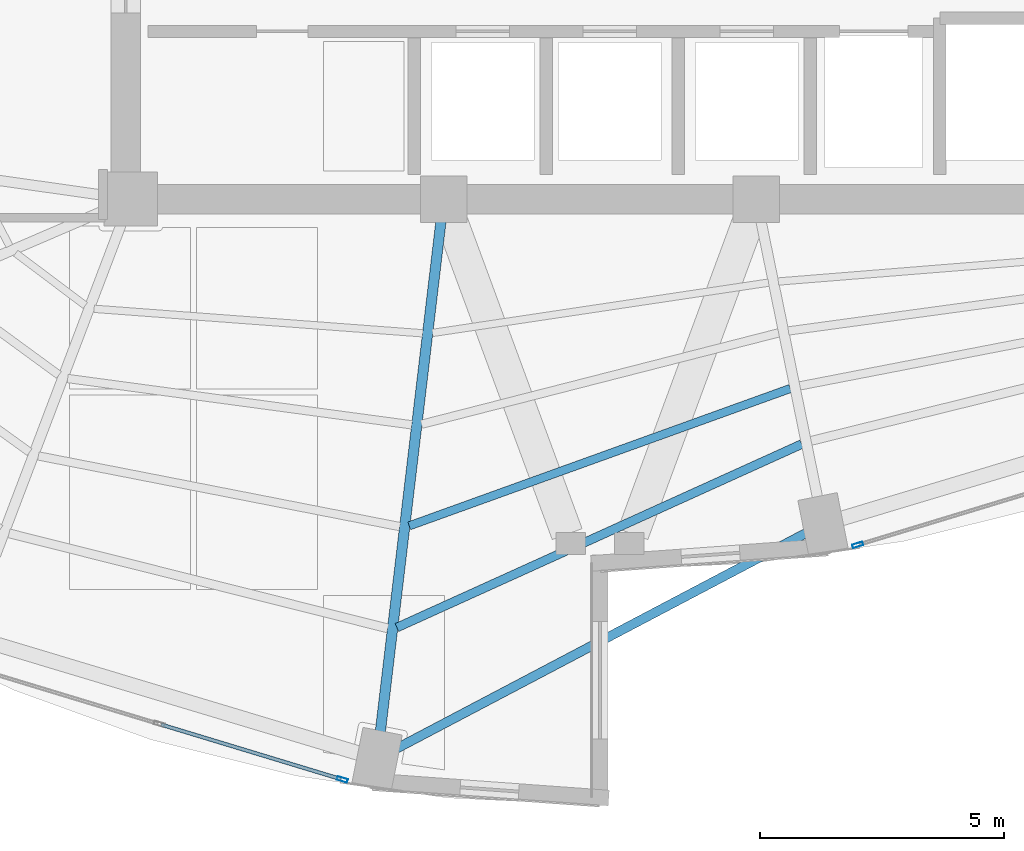
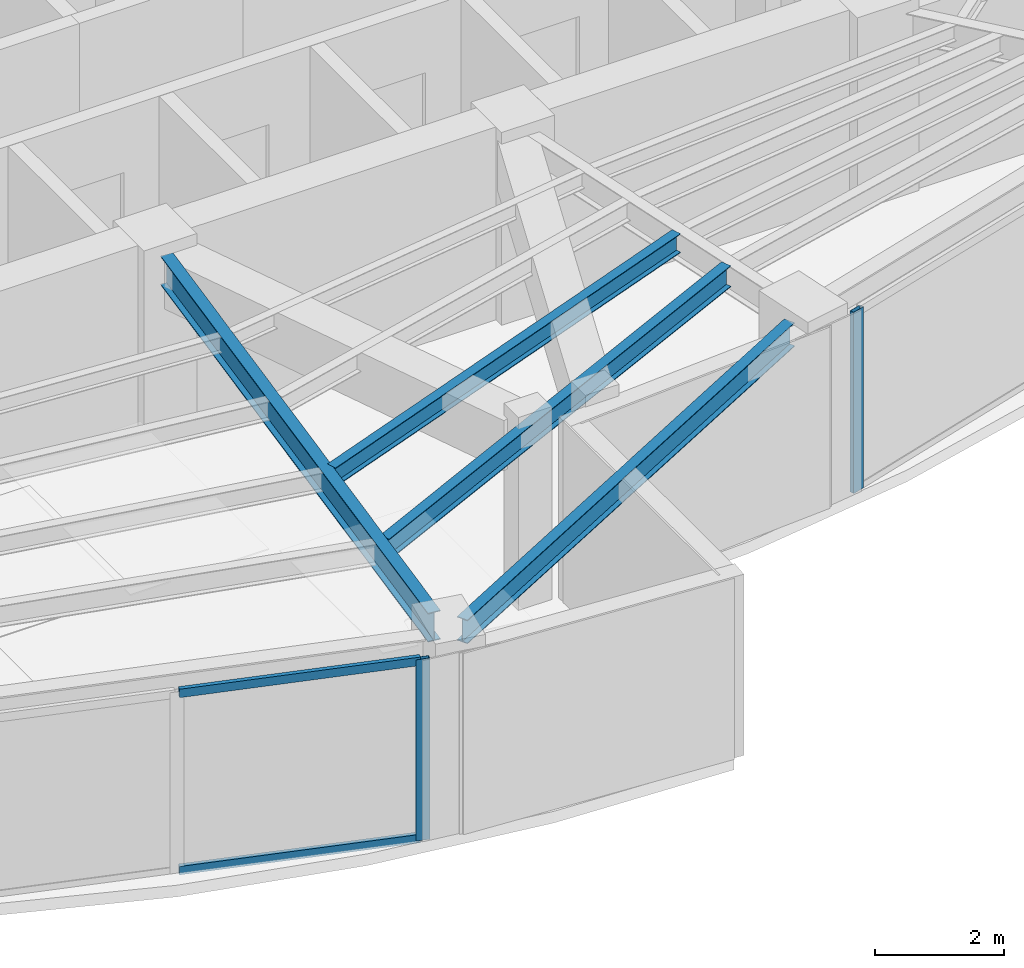
# One storey, part 4 of 19: 4 beams, 4 members, 2 elements without a shape of their own.
"""IFC4 building model written with IfcOpenShell, lengths in metres."""

from ifc_helpers import new_model, si_unit, direction, frame, origin, origin_2d, place, context, subcontext, project, spatial, hollow_rectangle, i_section, extrude, material, layer, layer_set, material_profile, profile_set, type_object, element, aggregate, save


model = new_model("IFC4")

# Units and contexts
model_context = context("Model", 3, precision=1e-05, world=origin(), true_north=direction((0.0, 1.0)))
body_context = subcontext(model_context, "Body", "Model", "MODEL_VIEW")
ifc_project = project(units=[si_unit("LENGTHUNIT", "METRE"), si_unit("AREAUNIT", "SQUARE_METRE"), si_unit("VOLUMEUNIT", "CUBIC_METRE"), si_unit("PLANEANGLEUNIT", "RADIAN"), si_unit("MASSUNIT", "GRAM", prefix="KILO")], contexts=[model_context])

# Site, building, storey
site_placement = place(None, origin())
site = spatial("IfcSite", under=ifc_project, at=site_placement, CompositionType="ELEMENT")
building_placement = place(site_placement, origin())
building = spatial("IfcBuilding", under=site, at=building_placement, Name="Lazwardi Medical Tower", CompositionType="ELEMENT")
storey_placement = place(building_placement, frame((0.0, 0.0, 171.1201171875)))
storey = spatial("IfcBuildingStorey", under=building, at=storey_placement, Name="L44", CompositionType="ELEMENT", Elevation=171.1201171875)

# Beams
ifc_material_1 = material(Name="Steel S355", Category="steel")
ifc_material_profile_1 = material_profile(ifc_material_1, i_section(OverallWidth=0.2099609375, OverallDepth=0.550048828125, WebThickness=0.010986328125, FlangeThickness=0.01708984375, at=origin_2d()), Name="IPE 550")
ifc_profile_set_1 = profile_set([ifc_material_profile_1], Name="Steel S355")
beam_type_1 = type_object("IfcBeamType", Name="BM-RG-W2", PredefinedType="BEAM", material=ifc_profile_set_1)
beam_1_placement = place(storey_placement, frame((31.505859375, 9.50732421875, 3.15283203125), z_axis=(0.117968004211, 0.993017396616, 0.0), x_axis=(-0.993017396616, 0.117968004211, 0.0)))
element("IfcBeam", 1, at=beam_1_placement, inside=storey, type_object=beam_type_1, Name="Radial girder RG-03 R16 L44", PredefinedType="BEAM", context=body_context, shape_type="SweptSolid", body=[
    extrude(i_section(OverallWidth=0.2099609375, OverallDepth=0.550048828125, WebThickness=0.010986328125, FlangeThickness=0.01708984375, at=origin_2d()), origin(), (0.0, 0.0, 1.0), 10.50927734375),
])
ifc_material_profile_2 = material_profile(ifc_material_1, i_section(OverallWidth=0.179931640625, OverallDepth=0.39990234375, WebThickness=0.008544921875, FlangeThickness=0.013427734375, at=origin_2d()), Name="IPE 400")
ifc_profile_set_2 = profile_set([ifc_material_profile_2], Name="Steel S355")
beam_type_2 = type_object("IfcBeamType", Name="BM-SJ-01", PredefinedType="JOIST", material=ifc_profile_set_2)
beam_2_placement = place(storey_placement, frame((31.844970703125, 11.6357421875, 3.227783203125), z_axis=(0.910834000674, 0.412772846995, 0.0), x_axis=(-0.412772846995, 0.910834000674, 0.0)))
element("IfcBeam", 2, at=beam_2_placement, inside=storey, type_object=beam_type_2, Name="Secondary joist SJ-01 R1 B16 L44", PredefinedType="JOIST", context=body_context, shape_type="SweptSolid", body=[
    extrude(i_section(OverallWidth=0.179931640625, OverallDepth=0.39990234375, WebThickness=0.008544921875, FlangeThickness=0.013427734375, at=origin_2d()), origin(), (0.0, 0.0, 1.0), 9.09130859375),
])
ifc_material_profile_3 = material_profile(ifc_material_1, i_section(OverallWidth=0.169921875, OverallDepth=0.360107421875, WebThickness=0.008056640625, FlangeThickness=0.0126953125, at=origin_2d()), Name="IPE 360")
ifc_profile_set_3 = profile_set([ifc_material_profile_3], Name="Steel S355")
beam_type_3 = type_object("IfcBeamType", Name="BM-SJ-02", PredefinedType="JOIST", material=ifc_profile_set_3)
beam_3_placement = place(storey_placement, frame((32.095947265625, 13.715576171875, 3.247802734375), z_axis=(0.940747993319, 0.339106492221, 0.0), x_axis=(-0.339106492221, 0.940747993319, 0.0)))
element("IfcBeam", 3, at=beam_3_placement, inside=storey, type_object=beam_type_3, Name="Secondary joist SJ-02 R2 B16 L44", PredefinedType="JOIST", context=body_context, shape_type="SweptSolid", body=[
    extrude(i_section(OverallWidth=0.169921875, OverallDepth=0.360107421875, WebThickness=0.008056640625, FlangeThickness=0.0126953125, at=origin_2d()), origin(), (0.0, 0.0, 1.0), 8.28662109375),
])
ifc_material_profile_4 = material_profile(ifc_material_1, i_section(OverallWidth=0.18994140625, OverallDepth=0.449951171875, WebThickness=0.009521484375, FlangeThickness=0.0146484375, at=origin_2d()), Name="IPE 450")
ifc_profile_set_4 = profile_set([ifc_material_profile_4], Name="Steel S355")
beam_type_4 = type_object("IfcBeamType", Name="BM-SP-01", PredefinedType="SPANDREL", material=ifc_profile_set_4)
beam_4_placement = place(storey_placement, frame((31.793701171875, 9.137451171875, 3.202880859375), z_axis=(0.884926578414, 0.465730556026, 0.0), x_axis=(-0.465730556026, 0.884926578414, 0.0)))
element("IfcBeam", 4, at=beam_4_placement, inside=storey, type_object=beam_type_4, Name="Spandrel beam SP-01 B16 L44", PredefinedType="SPANDREL", context=body_context, shape_type="SweptSolid", body=[
    extrude(i_section(OverallWidth=0.18994140625, OverallDepth=0.449951171875, WebThickness=0.009521484375, FlangeThickness=0.0146484375, at=origin_2d()), origin(), (0.0, 0.0, 1.0), 9.506591796875),
])

# Curtain wall, member
ifc_material_2 = material(Name="Anodised bronze aluminium and solar control glazing", Category="aluminium")
ifc_layer = layer(ifc_material_2, 0.195068359375)
ifc_layer_set = layer_set([ifc_layer], Name="Anodised bronze aluminium and solar control glazing")
curtain_wall_type = type_object("IfcCurtainWallType", Name="CW-SYS-03", PredefinedType="NOTDEFINED", material=ifc_layer_set)
curtain_wall_1_placement = place(storey_placement, origin())
curtain_wall_1 = element("IfcCurtainWall", 5, at=curtain_wall_1_placement, inside=storey, type_object=curtain_wall_type, Name="L44 Unitised bronze curtain wall CW-03", PredefinedType="NOTDEFINED")
ifc_material_3 = material(Name="Anodised bronze aluminium", Category="aluminium")
ifc_material_profile_5 = material_profile(ifc_material_3, hollow_rectangle(XDim=0.074951171875, YDim=0.219970703125, WallThickness=0.00390625, at=origin_2d()), Name="ALU-MULLION 220x75x4")
ifc_profile_set_5 = profile_set([ifc_material_profile_5], Name="Anodised bronze aluminium")
member_type_1 = type_object("IfcMemberType", Name="CW-MUL-01", PredefinedType="MULLION", material=ifc_profile_set_5)
member_1_placement = place(storey_placement, frame((41.27197265625, 13.325927734375, 0.0), z_axis=(0.0, 0.0, 1.0), x_axis=(-0.290280785441, 0.956941516292, 0.0)))
member_1 = element("IfcMember", 6, at=member_1_placement, type_object=member_type_1, Name="CW-03 mullion 1", PredefinedType="MULLION", context=body_context, shape_type="SweptSolid", body=[
    extrude(hollow_rectangle(XDim=0.074951171875, YDim=0.219970703125, WallThickness=0.00390625, at=origin_2d()), origin(), (0.0, 0.0, 1.0), 3.427978515625),
])
aggregate(curtain_wall_1, [member_1])

# Curtain wall, members
curtain_wall_2_placement = place(storey_placement, origin())
curtain_wall_2 = element("IfcCurtainWall", 7, at=curtain_wall_2_placement, inside=storey, type_object=curtain_wall_type, Name="L44 Unitised bronze curtain wall CW-03", PredefinedType="NOTDEFINED")
member_2_placement = place(storey_placement, frame((30.72802734375, 8.52587890625, 0.0), z_axis=(0.0, 0.0, 1.0), x_axis=(0.290280785441, 0.956941516292, 0.0)))
member_2 = element("IfcMember", 8, at=member_2_placement, type_object=member_type_1, Name="CW-03 mullion 3", PredefinedType="MULLION", context=body_context, shape_type="SweptSolid", body=[
    extrude(hollow_rectangle(XDim=0.074951171875, YDim=0.219970703125, WallThickness=0.00390625, at=origin_2d()), origin(), (0.0, 0.0, 1.0), 3.427978515625),
])
ifc_material_profile_6 = material_profile(ifc_material_3, hollow_rectangle(XDim=0.074951171875, YDim=0.159912109375, WallThickness=0.00390625, at=origin_2d()), Name="ALU-TRANSOM 160x75x4")
ifc_profile_set_6 = profile_set([ifc_material_profile_6], Name="Anodised bronze aluminium")
member_type_2 = type_object("IfcMemberType", Name="CW-TRN-01", PredefinedType="USERDEFINED", material=ifc_profile_set_6)
member_3_placement = place(storey_placement, frame((27.020751953125, 9.650390625, 0.037353515625), z_axis=(0.95695319357, -0.290242287264, 0.0), x_axis=(0.290242287264, 0.95695319357, 0.0)))
member_3 = element("IfcMember", 9, at=member_3_placement, type_object=member_type_2, Name="CW-03 transom 2.1", ObjectType="TRANSOM", PredefinedType="USERDEFINED", context=body_context, shape_type="SweptSolid", body=[
    extrude(hollow_rectangle(XDim=0.074951171875, YDim=0.159912109375, WallThickness=0.00390625, at=origin_2d()), origin(), (0.0, 0.0, 1.0), 3.83642578125),
])
member_4_placement = place(storey_placement, frame((27.020751953125, 9.650390625, 3.390380859375), z_axis=(0.95695319357, -0.290242287264, 0.0), x_axis=(0.290242287264, 0.95695319357, 0.0)))
member_4 = element("IfcMember", 10, at=member_4_placement, type_object=member_type_2, Name="CW-03 transom 2.2", ObjectType="TRANSOM", PredefinedType="USERDEFINED", context=body_context, shape_type="SweptSolid", body=[
    extrude(hollow_rectangle(XDim=0.074951171875, YDim=0.159912109375, WallThickness=0.00390625, at=origin_2d()), origin(), (0.0, 0.0, 1.0), 3.83642578125),
])
aggregate(curtain_wall_2, [member_2, member_3, member_4])

save(model, "model.ifc")
